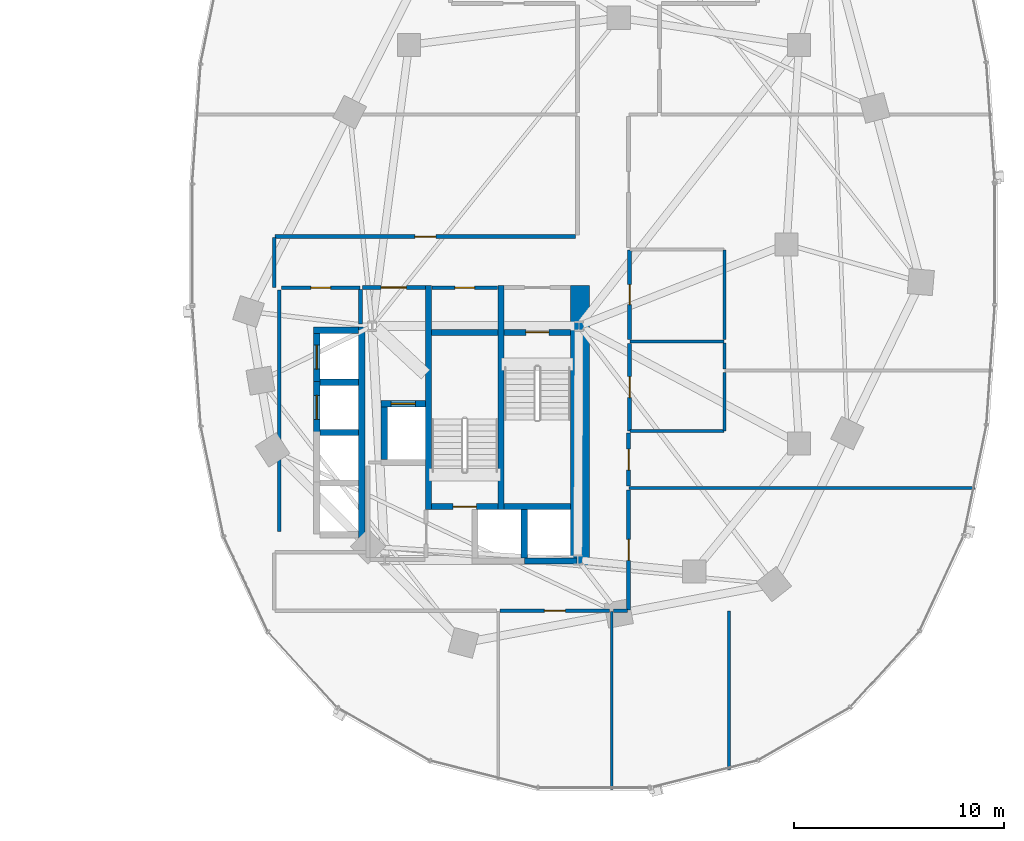
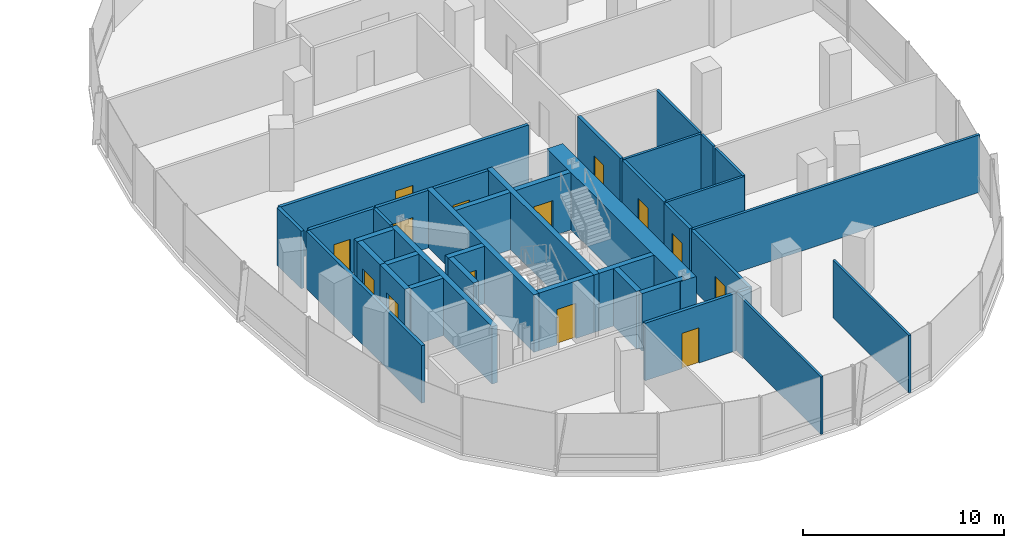
# One storey, part 13 of 22: 38 walls, 14 doors, 14 openings.
"""IFC4 building model written with IfcOpenShell, lengths in metres."""

from ifc_helpers import new_model, si_unit, direction, frame, frame_2d, origin, place, context, subcontext, project, spatial, rectangle, extrude, material, layer, layer_set, type_object, element, fill, save


model = new_model("IFC4")

# Units and contexts
model_context = context("Model", 3, precision=1e-05, world=origin(), true_north=direction((0.0, 1.0)))
body_context = subcontext(model_context, "Body", "Model", "MODEL_VIEW")
ifc_project = project(units=[si_unit("LENGTHUNIT", "METRE"), si_unit("AREAUNIT", "SQUARE_METRE"), si_unit("VOLUMEUNIT", "CUBIC_METRE"), si_unit("PLANEANGLEUNIT", "RADIAN"), si_unit("MASSUNIT", "GRAM", prefix="KILO"), si_unit("THERMODYNAMICTEMPERATUREUNIT", "KELVIN"), si_unit("POWERUNIT", "WATT")], contexts=[model_context])

# Site, building, storey
site_placement = place(None, origin())
site = spatial("IfcSite", under=ifc_project, at=site_placement, CompositionType="ELEMENT")
building_placement = place(site_placement, origin())
building = spatial("IfcBuilding", under=site, at=building_placement, Name="Cundina Bronze Exchange", CompositionType="ELEMENT")
storey_placement = place(building_placement, frame((0.0, 0.0, 43.0)))
storey = spatial("IfcBuildingStorey", under=building, at=storey_placement, Name="L10", CompositionType="ELEMENT", Elevation=43.0)

# Wall
ifc_material_1 = material(Name="Gypsum Fireboard Partition EI120")
ifc_layer_1 = layer(ifc_material_1, 0.179931640625, Name="Gypsum Fireboard Partition EI120")
ifc_layer_set_1 = layer_set([ifc_layer_1], Name="Gypsum Fireboard Partition EI120")
wall_type_1 = type_object("IfcWallType", Name="WL-COR-180", PredefinedType="PARTITIONING", material=ifc_layer_set_1)
wall_1_placement = place(storey_placement, frame((20.889892578125, -3.800048828125, 0.0), z_axis=(0.0, 0.0, 1.0), x_axis=(0.0, 1.0, 0.0)))
element("IfcWall", 1, at=wall_1_placement, inside=storey, type_object=wall_type_1, Name="L10 E Firefighting Lobby Side Wall", PredefinedType="PARTITIONING", context=body_context, shape_type="SweptSolid", body=[
    extrude(rectangle(XDim=1.650146484375, YDim=0.179931640625, at=frame_2d((0.8251953125, 0.0))), origin(), (0.0, 0.0, 1.0), 3.5),
])

# Wall, opening, door
wall_2_placement = place(storey_placement, frame((20.97998046875, -2.06005859375, 0.0), z_axis=(0.0, 0.0, 1.0), x_axis=(1.0, 0.0, 0.0)))
wall_2 = element("IfcWall", 2, at=wall_2_placement, inside=storey, type_object=wall_type_1, Name="L10 E Firefighting Lobby Exit Wall", PredefinedType="PARTITIONING", context=body_context, shape_type="SweptSolid", body=[
    extrude(rectangle(XDim=3.0, YDim=0.179931640625, at=frame_2d((1.5, 0.0))), origin(), (0.0, 0.0, 1.0), 3.5),
])
opening_1_placement = place(wall_2_placement, frame((0.89990234375, 0.0, 0.0)))
opening_1 = element("IfcOpeningElement", 3, at=opening_1_placement, cuts=wall_2, Name="Opening DF-01", PredefinedType="OPENING", context=body_context, shape_type="SweptSolid", body=[
    extrude(rectangle(XDim=1.199951171875, YDim=2.14990234375, at=frame_2d((0.60009765625, 1.074951171875))), frame((0.0, 0.099853515625, 0.0), z_axis=(0.0, -1.0, 0.0), x_axis=(1.0, 0.0, 0.0)), (0.0, 0.0, 1.0), 0.199951171875),
])
ifc_material_2 = material(Name="Steel ASTM A36 Painted", Category="steel")
door_type_1 = type_object("IfcDoorType", Name="DR-FFL-1200", OperationType="NOTDEFINED", PredefinedType="DOOR", material=ifc_material_2)
door_1_placement = place(opening_1_placement, origin())
door_1 = element("IfcDoor", 4, at=door_1_placement, inside=storey, type_object=door_type_1, Name="L10 E Firefighting Lobby Door", OperationType="SINGLE_SWING_LEFT", OverallHeight=2.14990234375, OverallWidth=1.199951171875, PredefinedType="DOOR", context=body_context, shape_type="SweptSolid", body=[
    extrude(rectangle(XDim=1.199951171875, YDim=2.14990234375, at=frame_2d((0.60009765625, 1.074951171875))), frame((0.0, 0.02490234375, 0.0), z_axis=(0.0, -1.0, 0.0), x_axis=(1.0, 0.0, 0.0)), (0.0, 0.0, 1.0), 0.050048828125),
])
fill(opening_1, door_1)

# Wall
wall_3_placement = place(storey_placement, frame((17.02001953125, -13.679931640625, 0.0), z_axis=(0.0, 0.0, 1.0), x_axis=(0.0, 1.0, 0.0)))
element("IfcWall", 5, at=wall_3_placement, inside=storey, type_object=wall_type_1, Name="L10 Interior Partition 050", PredefinedType="PARTITIONING", context=body_context, shape_type="SweptSolid", body=[
    extrude(rectangle(XDim=11.510009765625, YDim=0.179931640625, at=frame_2d((5.7548828125, 0.0))), origin(), (0.0, 0.0, 1.0), 3.5),
])

# Wall, opening, door
wall_4_placement = place(storey_placement, frame((17.1201171875, -2.070068359375, 0.0), z_axis=(0.0, 0.0, 1.0), x_axis=(1.0, 0.0, 0.0)))
wall_4 = element("IfcWall", 6, at=wall_4_placement, inside=storey, type_object=wall_type_1, Name="L10 Interior Partition 051", PredefinedType="PARTITIONING", context=body_context, shape_type="SweptSolid", body=[
    extrude(rectangle(XDim=3.75, YDim=0.179931640625, at=frame_2d((1.875, 0.0))), origin(), (0.0, 0.0, 1.0), 3.5),
])
opening_2_placement = place(wall_4_placement, frame((1.39990234375, 0.0, 0.0)))
opening_2 = element("IfcOpeningElement", 7, at=opening_2_placement, cuts=wall_4, Name="Opening DW-01", PredefinedType="OPENING", context=body_context, shape_type="SweptSolid", body=[
    extrude(rectangle(XDim=0.949951171875, YDim=2.10009765625, at=frame_2d((0.47509765625, 1.050048828125))), frame((0.0, 0.099853515625, 0.0), z_axis=(0.0, -1.0, 0.0), x_axis=(1.0, 0.0, 0.0)), (0.0, 0.0, 1.0), 0.199951171875),
])
ifc_material_3 = material(Name="Solid Andean Oak Timber Grade A", Category="wood")
door_type_2 = type_object("IfcDoorType", Name="DR-WC-950", OperationType="NOTDEFINED", PredefinedType="DOOR", material=ifc_material_3)
door_2_placement = place(opening_2_placement, origin())
door_2 = element("IfcDoor", 8, at=door_2_placement, inside=storey, type_object=door_type_2, Name="L10 Interior Door 051", OperationType="SINGLE_SWING_RIGHT", OverallHeight=2.10009765625, OverallWidth=0.949951171875, PredefinedType="DOOR", context=body_context, shape_type="SweptSolid", body=[
    extrude(rectangle(XDim=0.949951171875, YDim=2.10009765625, at=frame_2d((0.47509765625, 1.050048828125))), frame((0.0, 0.02490234375, 0.0), z_axis=(0.0, -1.0, 0.0), x_axis=(1.0, 0.0, 0.0)), (0.0, 0.0, 1.0), 0.050048828125),
])
fill(opening_2, door_2)

wall_5_placement = place(storey_placement, frame((24.300048828125, -2.070068359375, 0.0), z_axis=(0.0, 0.0, 1.0), x_axis=(1.0, 0.0, 0.0)))
wall_5 = element("IfcWall", 9, at=wall_5_placement, inside=storey, type_object=wall_type_1, Name="L10 Interior Partition 055", PredefinedType="PARTITIONING", context=body_context, shape_type="SweptSolid", body=[
    extrude(rectangle(XDim=3.119873046875, YDim=0.179931640625, at=frame_2d((1.56005859375, 0.0))), origin(), (0.0, 0.0, 1.0), 3.5),
])
opening_3_placement = place(wall_5_placement, frame((1.0849609375, 0.0, 0.0)))
opening_3 = element("IfcOpeningElement", 10, at=opening_3_placement, cuts=wall_5, Name="Opening DW-01", PredefinedType="OPENING", context=body_context, shape_type="SweptSolid", body=[
    extrude(rectangle(XDim=0.949951171875, YDim=2.10009765625, at=frame_2d((0.47509765625, 1.050048828125))), frame((0.0, 0.099853515625, 0.0), z_axis=(0.0, -1.0, 0.0), x_axis=(1.0, 0.0, 0.0)), (0.0, 0.0, 1.0), 0.199951171875),
])
door_3_placement = place(opening_3_placement, origin())
door_3 = element("IfcDoor", 11, at=door_3_placement, inside=storey, type_object=door_type_2, Name="L10 Interior Door 055", OperationType="SINGLE_SWING_RIGHT", OverallHeight=2.10009765625, OverallWidth=0.949951171875, PredefinedType="DOOR", context=body_context, shape_type="SweptSolid", body=[
    extrude(rectangle(XDim=0.949951171875, YDim=2.10009765625, at=frame_2d((0.47509765625, 1.050048828125))), frame((0.0, 0.02490234375, 0.0), z_axis=(0.0, -1.0, 0.0), x_axis=(1.0, 0.0, 0.0)), (0.0, 0.0, 1.0), 0.050048828125),
])
fill(opening_3, door_3)

wall_6_placement = place(storey_placement, frame((33.719970703125, -4.530029296875, 0.0), z_axis=(0.0, 0.0, 1.0), x_axis=(0.0, 1.0, 0.0)))
wall_6 = element("IfcWall", 12, at=wall_6_placement, inside=storey, type_object=wall_type_1, Name="L10 Interior Partition 063", PredefinedType="PARTITIONING", context=body_context, shape_type="SweptSolid", body=[
    extrude(rectangle(XDim=4.260009765625, YDim=0.179931640625, at=frame_2d((2.1298828125, 0.0))), origin(), (0.0, 0.0, 1.0), 3.5),
])
opening_4_placement = place(wall_6_placement, frame((1.655029296875, 0.0, 0.0)))
opening_4 = element("IfcOpeningElement", 13, at=opening_4_placement, cuts=wall_6, Name="Opening DW-01", PredefinedType="OPENING", context=body_context, shape_type="SweptSolid", body=[
    extrude(rectangle(XDim=0.949951171875, YDim=2.10009765625, at=frame_2d((0.47509765625, 1.050048828125))), frame((0.0, 0.099853515625, 0.0), z_axis=(0.0, -1.0, 0.0), x_axis=(1.0, 0.0, 0.0)), (0.0, 0.0, 1.0), 0.199951171875),
])
door_4_placement = place(opening_4_placement, origin())
door_4 = element("IfcDoor", 14, at=door_4_placement, inside=storey, type_object=door_type_2, Name="L10 Interior Door 063", OperationType="SINGLE_SWING_RIGHT", OverallHeight=2.10009765625, OverallWidth=0.949951171875, PredefinedType="DOOR", context=body_context, shape_type="SweptSolid", body=[
    extrude(rectangle(XDim=0.949951171875, YDim=2.10009765625, at=frame_2d((0.47509765625, 1.050048828125))), frame((0.0, 0.02490234375, 0.0), z_axis=(0.0, -1.0, 0.0), x_axis=(1.0, 0.0, 0.0)), (0.0, 0.0, 1.0), 0.050048828125),
])
fill(opening_4, door_4)

wall_7_placement = place(storey_placement, frame((33.719970703125, -8.889892578125, 0.0), z_axis=(0.0, 0.0, 1.0), x_axis=(0.0, 1.0, 0.0)))
wall_7 = element("IfcWall", 15, at=wall_7_placement, inside=storey, type_object=wall_type_1, Name="L10 Interior Partition 064", PredefinedType="PARTITIONING", context=body_context, shape_type="SweptSolid", body=[
    extrude(rectangle(XDim=4.159912109375, YDim=0.179931640625, at=frame_2d((2.080078125, 0.0))), origin(), (0.0, 0.0, 1.0), 3.5),
])
opening_5_placement = place(wall_7_placement, frame((1.580078125, 0.0, 0.0)))
opening_5 = element("IfcOpeningElement", 16, at=opening_5_placement, cuts=wall_7, Name="Opening DO-01", PredefinedType="OPENING", context=body_context, shape_type="SweptSolid", body=[
    extrude(rectangle(XDim=1.0, YDim=2.14990234375, at=frame_2d((0.5, 1.074951171875))), frame((0.0, 0.099853515625, 0.0), z_axis=(0.0, -1.0, 0.0), x_axis=(1.0, 0.0, 0.0)), (0.0, 0.0, 1.0), 0.199951171875),
])
door_type_3 = type_object("IfcDoorType", Name="DR-OFF-1000", OperationType="NOTDEFINED", PredefinedType="DOOR", material=ifc_material_3)
door_5_placement = place(opening_5_placement, origin())
door_5 = element("IfcDoor", 17, at=door_5_placement, inside=storey, type_object=door_type_3, Name="L10 Interior Door 064", OperationType="SINGLE_SWING_RIGHT", OverallHeight=2.14990234375, OverallWidth=1.0, PredefinedType="DOOR", context=body_context, shape_type="SweptSolid", body=[
    extrude(rectangle(XDim=1.0, YDim=2.14990234375, at=frame_2d((0.5, 1.074951171875))), frame((0.0, 0.02490234375, 0.0), z_axis=(0.0, -1.0, 0.0), x_axis=(1.0, 0.0, 0.0)), (0.0, 0.0, 1.0), 0.050048828125),
])
fill(opening_5, door_5)

wall_8_placement = place(storey_placement, frame((27.550048828125, -17.469970703125, 0.0), z_axis=(0.0, 0.0, 1.0), x_axis=(1.0, 0.0, 0.0)))
wall_8 = element("IfcWall", 18, at=wall_8_placement, inside=storey, type_object=wall_type_1, Name="L10 Interior Partition 076", PredefinedType="PARTITIONING", context=body_context, shape_type="SweptSolid", body=[
    extrude(rectangle(XDim=5.219970703125, YDim=0.179931640625, at=frame_2d((2.60986328125, 0.0))), origin(), (0.0, 0.0, 1.0), 3.5),
])
opening_6_placement = place(wall_8_placement, frame((2.110107421875, 0.0, 0.0)))
opening_6 = element("IfcOpeningElement", 19, at=opening_6_placement, cuts=wall_8, Name="Opening DO-01", PredefinedType="OPENING", context=body_context, shape_type="SweptSolid", body=[
    extrude(rectangle(XDim=1.0, YDim=2.14990234375, at=frame_2d((0.5, 1.074951171875))), frame((0.0, 0.099853515625, 0.0), z_axis=(0.0, -1.0, 0.0), x_axis=(1.0, 0.0, 0.0)), (0.0, 0.0, 1.0), 0.199951171875),
])
door_6_placement = place(opening_6_placement, origin())
door_6 = element("IfcDoor", 20, at=door_6_placement, inside=storey, type_object=door_type_3, Name="L10 Interior Door 076", OperationType="SINGLE_SWING_LEFT", OverallHeight=2.14990234375, OverallWidth=1.0, PredefinedType="DOOR", context=body_context, shape_type="SweptSolid", body=[
    extrude(rectangle(XDim=1.0, YDim=2.14990234375, at=frame_2d((0.5, 1.074951171875))), frame((0.0, 0.02490234375, 0.0), z_axis=(0.0, -1.0, 0.0), x_axis=(1.0, 0.0, 0.0)), (0.0, 0.0, 1.0), 0.050048828125),
])
fill(opening_6, door_6)

wall_9_placement = place(storey_placement, frame((33.669921875, -17.428466796875, 0.0), z_axis=(0.0, 0.0, 1.0), x_axis=(0.0, 1.0, 0.0)))
wall_9 = element("IfcWall", 21, at=wall_9_placement, inside=storey, type_object=wall_type_1, Name="L10 Interior Partition 077", PredefinedType="PARTITIONING", context=body_context, shape_type="SweptSolid", body=[
    extrude(rectangle(XDim=5.718505859375, YDim=0.179931640625, at=frame_2d((2.859375, 0.0))), origin(), (0.0, 0.0, 1.0), 3.5),
])
opening_7_placement = place(wall_9_placement, frame((2.359130859375, 0.0, 0.0)))
opening_7 = element("IfcOpeningElement", 22, at=opening_7_placement, cuts=wall_9, Name="Opening DO-01", PredefinedType="OPENING", context=body_context, shape_type="SweptSolid", body=[
    extrude(rectangle(XDim=1.0, YDim=2.14990234375, at=frame_2d((0.5, 1.074951171875))), frame((0.0, 0.099853515625, 0.0), z_axis=(0.0, -1.0, 0.0), x_axis=(1.0, 0.0, 0.0)), (0.0, 0.0, 1.0), 0.199951171875),
])
door_7_placement = place(opening_7_placement, origin())
door_7 = element("IfcDoor", 23, at=door_7_placement, inside=storey, type_object=door_type_3, Name="L10 Interior Door 077", OperationType="SINGLE_SWING_RIGHT", OverallHeight=2.14990234375, OverallWidth=1.0, PredefinedType="DOOR", context=body_context, shape_type="SweptSolid", body=[
    extrude(rectangle(XDim=1.0, YDim=2.14990234375, at=frame_2d((0.5, 1.074951171875))), frame((0.0, 0.02490234375, 0.0), z_axis=(0.0, -1.0, 0.0), x_axis=(1.0, 0.0, 0.0)), (0.0, 0.0, 1.0), 0.050048828125),
])
fill(opening_7, door_7)

# Wall
wall_10_placement = place(storey_placement, frame((32.949951171875, -17.469970703125, 0.0), z_axis=(0.0, 0.0, 1.0), x_axis=(1.0, 0.0, 0.0)))
element("IfcWall", 24, at=wall_10_placement, inside=storey, type_object=wall_type_1, Name="L10 Interior Partition 078", PredefinedType="PARTITIONING", context=body_context, shape_type="SweptSolid", body=[
    extrude(rectangle(XDim=0.678466796875, YDim=0.179931640625, at=frame_2d((0.33935546875, 0.0))), origin(), (0.0, 0.0, 1.0), 3.5),
])

# Wall, opening, door
wall_11_placement = place(storey_placement, frame((33.669921875, -11.530029296875, 0.0), z_axis=(0.0, 0.0, 1.0), x_axis=(0.0, 1.0, 0.0)))
wall_11 = element("IfcWall", 25, at=wall_11_placement, inside=storey, type_object=wall_type_1, Name="L10 Interior Partition 079", PredefinedType="PARTITIONING", context=body_context, shape_type="SweptSolid", body=[
    extrude(rectangle(XDim=2.528564453125, YDim=0.179931640625, at=frame_2d((1.26416015625, 0.0))), origin(), (0.0, 0.0, 1.0), 3.5),
])
opening_8_placement = place(wall_11_placement, frame((0.764404296875, 0.0, 0.0)))
opening_8 = element("IfcOpeningElement", 26, at=opening_8_placement, cuts=wall_11, Name="Opening DO-01", PredefinedType="OPENING", context=body_context, shape_type="SweptSolid", body=[
    extrude(rectangle(XDim=1.0, YDim=2.14990234375, at=frame_2d((0.5, 1.074951171875))), frame((0.0, 0.099853515625, 0.0), z_axis=(0.0, -1.0, 0.0), x_axis=(1.0, 0.0, 0.0)), (0.0, 0.0, 1.0), 0.199951171875),
])
door_8_placement = place(opening_8_placement, origin())
door_8 = element("IfcDoor", 27, at=door_8_placement, inside=storey, type_object=door_type_3, Name="L10 Interior Door 079", OperationType="SINGLE_SWING_LEFT", OverallHeight=2.14990234375, OverallWidth=1.0, PredefinedType="DOOR", context=body_context, shape_type="SweptSolid", body=[
    extrude(rectangle(XDim=1.0, YDim=2.14990234375, at=frame_2d((0.5, 1.074951171875))), frame((0.0, 0.02490234375, 0.0), z_axis=(0.0, -1.0, 0.0), x_axis=(1.0, 0.0, 0.0)), (0.0, 0.0, 1.0), 0.050048828125),
])
fill(opening_8, door_8)

wall_12_placement = place(storey_placement, frame((31.14990234375, 0.3701171875, 0.0), z_axis=(0.0, 0.0, 1.0), x_axis=(-1.0, 0.0, 0.0)))
wall_12 = element("IfcWall", 28, at=wall_12_placement, inside=storey, type_object=wall_type_1, Name="L10 Interior Partition 080", PredefinedType="PARTITIONING", context=body_context, shape_type="SweptSolid", body=[
    extrude(rectangle(XDim=14.328369140625, YDim=0.179931640625, at=frame_2d((7.1640625, 0.0))), origin(), (0.0, 0.0, 1.0), 3.5),
])
opening_9_placement = place(wall_12_placement, frame((6.664306640625, 0.0, 0.0)))
opening_9 = element("IfcOpeningElement", 29, at=opening_9_placement, cuts=wall_12, Name="Opening DO-01", PredefinedType="OPENING", context=body_context, shape_type="SweptSolid", body=[
    extrude(rectangle(XDim=1.0, YDim=2.14990234375, at=frame_2d((0.5, 1.074951171875))), frame((0.0, 0.099853515625, 0.0), z_axis=(0.0, -1.0, 0.0), x_axis=(1.0, 0.0, 0.0)), (0.0, 0.0, 1.0), 0.199951171875),
])
door_9_placement = place(opening_9_placement, origin())
door_9 = element("IfcDoor", 30, at=door_9_placement, inside=storey, type_object=door_type_3, Name="L10 Interior Door 080", OperationType="SINGLE_SWING_RIGHT", OverallHeight=2.14990234375, OverallWidth=1.0, PredefinedType="DOOR", context=body_context, shape_type="SweptSolid", body=[
    extrude(rectangle(XDim=1.0, YDim=2.14990234375, at=frame_2d((0.5, 1.074951171875))), frame((0.0, 0.02490234375, 0.0), z_axis=(0.0, -1.0, 0.0), x_axis=(1.0, 0.0, 0.0)), (0.0, 0.0, 1.0), 0.050048828125),
])
fill(opening_9, door_9)

# Walls
wall_13_placement = place(storey_placement, frame((16.780029296875, 0.32861328125, 0.0), z_axis=(0.0, 0.0, 1.0), x_axis=(0.0, -1.0, 0.0)))
element("IfcWall", 31, at=wall_13_placement, inside=storey, type_object=wall_type_1, Name="L10 Interior Partition 085", PredefinedType="PARTITIONING", context=body_context, shape_type="SweptSolid", body=[
    extrude(rectangle(XDim=2.38720703125, YDim=0.179931640625, at=frame_2d((1.193603515625, 0.0))), origin(), (0.0, 0.0, 1.0), 3.5),
])
ifc_material_4 = material(Name="Concrete C60/75", Category="concrete")
ifc_layer_2 = layer(ifc_material_4, 0.89990234375, Name="Concrete C60/75", Category="concrete")
ifc_layer_set_2 = layer_set([ifc_layer_2], Name="Concrete C60/75")
wall_type_2 = type_object("IfcWallType", Name="WL-CORE-900", PredefinedType="SHEAR", material=ifc_layer_set_2)
wall_14_placement = place(storey_placement, frame((31.35009765625, -15.300048828125, 0.0), z_axis=(0.0, 0.0, 1.0), x_axis=(0.0, 1.0, 0.0)))
element("IfcWall", 32, at=wall_14_placement, inside=storey, type_object=wall_type_2, Name="L10 E Primary Core Shear Spine Wall", PredefinedType="SHEAR", context=body_context, shape_type="SweptSolid", body=[
    extrude(rectangle(XDim=13.330078125, YDim=0.89990234375, at=frame_2d((6.6650390625, 0.0))), origin(), (0.0, 0.0, 1.0), 3.5),
])
ifc_material_5 = material(Name="Gypsum Acoustic Partition EI60")
ifc_layer_3 = layer(ifc_material_5, 0.125, Name="Gypsum Acoustic Partition EI60")
ifc_layer_set_3 = layer_set([ifc_layer_3], Name="Gypsum Acoustic Partition EI60")
wall_type_3 = type_object("IfcWallType", Name="WL-OFF-125", PredefinedType="PARTITIONING", material=ifc_layer_set_3)
wall_15_placement = place(storey_placement, frame((32.860107421875, -25.985107421875, 0.0), z_axis=(0.0, 0.0, 1.0), x_axis=(0.0, 1.0, 0.0)))
element("IfcWall", 33, at=wall_15_placement, inside=storey, type_object=wall_type_3, Name="L10 Interior Partition 074", PredefinedType="PARTITIONING", context=body_context, shape_type="SweptSolid", body=[
    extrude(rectangle(XDim=8.485107421875, YDim=0.125, at=frame_2d((4.24267578125, 0.0))), origin(), (0.0, 0.0, 1.0), 3.5),
])
wall_16_placement = place(storey_placement, frame((38.4599609375, -25.03515625, 0.0), z_axis=(0.0, 0.0, 1.0), x_axis=(0.0, 1.0, 0.0)))
element("IfcWall", 34, at=wall_16_placement, inside=storey, type_object=wall_type_3, Name="L10 Interior Partition 075", PredefinedType="PARTITIONING", context=body_context, shape_type="SweptSolid", body=[
    extrude(rectangle(XDim=7.565185546875, YDim=0.125, at=frame_2d((3.78271484375, 0.0))), origin(), (0.0, 0.0, 1.0), 3.5),
])
ifc_material_6 = material(Name="Concrete C50/60", Category="concrete")
ifc_layer_4 = layer(ifc_material_6, 0.300048828125, Name="Concrete C50/60", Category="concrete")
ifc_layer_set_4 = layer_set([ifc_layer_4], Name="Concrete C50/60")
wall_type_4 = type_object("IfcWallType", Name="WL-SHFT-300", PredefinedType="SHEAR", material=ifc_layer_set_4)
for number, where, z_axis, x_axis, name in (
    (35, (27.590087890625, -12.64990234375, 0.0), (0.0, 0.0, 1.0), (0.0, 1.0, 0.0), "L10 E Stair Shaft Dividing Shear Wall"),
    (36, (24.1298828125, -12.64990234375, 0.0), (0.0, 0.0, 1.0), (0.0, 1.0, 0.0), "L10 E Stair 2 East Shear Wall"),
):
    element("IfcWall", number, at=place(storey_placement, frame(where, z_axis=z_axis, x_axis=x_axis)), inside=storey, type_object=wall_type_4, Name=name, PredefinedType="SHEAR", context=body_context, shape_type="SweptSolid", body=[
        extrude(rectangle(XDim=10.679931640625, YDim=0.300048828125, at=frame_2d((5.33984375, 0.0))), origin(), (0.0, 0.0, 1.0), 3.5),
    ])

# Wall, opening, door
wall_17_placement = place(storey_placement, frame((27.739990234375, -4.199951171875, 0.0), z_axis=(0.0, 0.0, 1.0), x_axis=(1.0, 0.0, 0.0)))
wall_17 = element("IfcWall", 37, at=wall_17_placement, inside=storey, type_object=wall_type_4, Name="L10 Stair E1 Landing Wall", PredefinedType="SHEAR", context=body_context, shape_type="SweptSolid", body=[
    extrude(rectangle(XDim=3.159912109375, YDim=0.300048828125, at=frame_2d((1.580078125, 0.0))), origin(), (0.0, 0.0, 1.0), 3.5),
])
opening_10_placement = place(wall_17_placement, frame((1.030029296875, 0.0, 0.0)))
opening_10 = element("IfcOpeningElement", 38, at=opening_10_placement, cuts=wall_17, Name="Opening DS-01", PredefinedType="OPENING", context=body_context, shape_type="SweptSolid", body=[
    extrude(rectangle(XDim=1.10009765625, YDim=2.14990234375, at=frame_2d((0.550048828125, 1.074951171875))), frame((0.0, 0.159912109375, 0.0), z_axis=(0.0, -1.0, 0.0), x_axis=(1.0, 0.0, 0.0)), (0.0, 0.0, 1.0), 0.320068359375),
])
door_type_4 = type_object("IfcDoorType", Name="DR-STR-1100", OperationType="NOTDEFINED", PredefinedType="DOOR", material=ifc_material_2)
door_10_placement = place(opening_10_placement, origin())
door_10 = element("IfcDoor", 39, at=door_10_placement, inside=storey, type_object=door_type_4, Name="L10 Smokeproof Stair E1 Door", OperationType="SINGLE_SWING_LEFT", OverallHeight=2.14990234375, OverallWidth=1.10009765625, PredefinedType="DOOR", context=body_context, shape_type="SweptSolid", body=[
    extrude(rectangle(XDim=1.10009765625, YDim=2.14990234375, at=frame_2d((0.550048828125, 1.074951171875))), frame((0.0, 0.02490234375, 0.0), z_axis=(0.0, -1.0, 0.0), x_axis=(1.0, 0.0, 0.0)), (0.0, 0.0, 1.0), 0.050048828125),
])
fill(opening_10, door_10)

# Wall
wall_18_placement = place(storey_placement, frame((27.739990234375, -12.5, 0.0), z_axis=(0.0, 0.0, 1.0), x_axis=(1.0, 0.0, 0.0)))
element("IfcWall", 40, at=wall_18_placement, inside=storey, type_object=wall_type_4, Name="L10 Stair E1 Far Shaft Wall", PredefinedType="SHEAR", context=body_context, shape_type="SweptSolid", body=[
    extrude(rectangle(XDim=3.159912109375, YDim=0.300048828125, at=frame_2d((1.580078125, 0.0))), origin(), (0.0, 0.0, 1.0), 3.5),
])

# Wall, opening, door
wall_19_placement = place(storey_placement, frame((24.280029296875, -12.5, 0.0), z_axis=(0.0, 0.0, 1.0), x_axis=(1.0, 0.0, 0.0)))
wall_19 = element("IfcWall", 41, at=wall_19_placement, inside=storey, type_object=wall_type_4, Name="L10 Stair E2 Landing Wall", PredefinedType="SHEAR", context=body_context, shape_type="SweptSolid", body=[
    extrude(rectangle(XDim=3.159912109375, YDim=0.300048828125, at=frame_2d((1.580078125, 0.0))), origin(), (0.0, 0.0, 1.0), 3.5),
])
opening_11_placement = place(wall_19_placement, frame((1.030029296875, 0.0, 0.0)))
opening_11 = element("IfcOpeningElement", 42, at=opening_11_placement, cuts=wall_19, Name="Opening DS-01", PredefinedType="OPENING", context=body_context, shape_type="SweptSolid", body=[
    extrude(rectangle(XDim=1.10009765625, YDim=2.14990234375, at=frame_2d((0.550048828125, 1.074951171875))), frame((0.0, 0.159912109375, 0.0), z_axis=(0.0, -1.0, 0.0), x_axis=(1.0, 0.0, 0.0)), (0.0, 0.0, 1.0), 0.320068359375),
])
door_11_placement = place(opening_11_placement, origin())
door_11 = element("IfcDoor", 43, at=door_11_placement, inside=storey, type_object=door_type_4, Name="L10 Smokeproof Stair E2 Door", OperationType="SINGLE_SWING_RIGHT", OverallHeight=2.14990234375, OverallWidth=1.10009765625, PredefinedType="DOOR", context=body_context, shape_type="SweptSolid", body=[
    extrude(rectangle(XDim=1.10009765625, YDim=2.14990234375, at=frame_2d((0.550048828125, 1.074951171875))), frame((0.0, 0.02490234375, 0.0), z_axis=(0.0, -1.0, 0.0), x_axis=(1.0, 0.0, 0.0)), (0.0, 0.0, 1.0), 0.050048828125),
])
fill(opening_11, door_11)

# Wall
wall_20_placement = place(storey_placement, frame((24.280029296875, -4.199951171875, 0.0), z_axis=(0.0, 0.0, 1.0), x_axis=(1.0, 0.0, 0.0)))
element("IfcWall", 44, at=wall_20_placement, inside=storey, type_object=wall_type_4, Name="L10 Stair E2 Far Shaft Wall", PredefinedType="SHEAR", context=body_context, shape_type="SweptSolid", body=[
    extrude(rectangle(XDim=3.159912109375, YDim=0.300048828125, at=frame_2d((1.580078125, 0.0))), origin(), (0.0, 0.0, 1.0), 3.5),
])

# Wall, opening, door
wall_21_placement = place(storey_placement, frame((21.8798828125, -7.60009765625, 0.0), z_axis=(0.0, 0.0, 1.0), x_axis=(1.0, 0.0, 0.0)))
wall_21 = element("IfcWall", 45, at=wall_21_placement, inside=storey, type_object=wall_type_4, Name="L10 FFL-E Hoistway Front Wall", PredefinedType="SHEAR", context=body_context, shape_type="SweptSolid", body=[
    extrude(rectangle(XDim=2.10009765625, YDim=0.300048828125, at=frame_2d((1.050048828125, 0.0))), origin(), (0.0, 0.0, 1.0), 3.5),
])
opening_12_placement = place(wall_21_placement, frame((0.47509765625, 0.0, 0.0)))
opening_12 = element("IfcOpeningElement", 46, at=opening_12_placement, cuts=wall_21, Name="Opening LD-01", PredefinedType="OPENING", context=body_context, shape_type="SweptSolid", body=[
    extrude(rectangle(XDim=1.14990234375, YDim=2.199951171875, at=frame_2d((0.574951171875, 1.10009765625))), frame((0.0, 0.159912109375, 0.0), z_axis=(0.0, -1.0, 0.0), x_axis=(1.0, 0.0, 0.0)), (0.0, 0.0, 1.0), 0.320068359375),
])
door_type_5 = type_object("IfcDoorType", Name="DR-LND-1150", OperationType="NOTDEFINED", PredefinedType="TRAPDOOR", material=ifc_material_2)
door_12_placement = place(opening_12_placement, origin())
door_12 = element("IfcDoor", 47, at=door_12_placement, inside=storey, type_object=door_type_5, Name="L10 FFL-E Sliding Landing Door", OperationType="SLIDING_TO_LEFT", OverallHeight=2.199951171875, OverallWidth=1.14990234375, PredefinedType="TRAPDOOR", context=body_context, shape_type="SweptSolid", body=[
    extrude(rectangle(XDim=1.14990234375, YDim=2.199951171875, at=frame_2d((0.574951171875, 1.10009765625))), frame((0.0, 0.02490234375, 0.0), z_axis=(0.0, -1.0, 0.0), x_axis=(1.0, 0.0, 0.0)), (0.0, 0.0, 1.0), 0.050048828125),
])
fill(opening_12, door_12)

# Walls
for number, where, z_axis, x_axis, name in (
    (48, (22.030029296875, -10.25, 0.0), (0.0, 0.0, 1.0), (0.0, 1.0, 0.0), "L10 FFL-E Hoistway Side Wall"),
    (49, (28.699951171875, -15.10009765625, 0.0), (0.0, 0.0, 1.0), (1.0, 0.0, 0.0), "L10 PH-E1 Hoistway Front Wall"),
):
    element("IfcWall", number, at=place(storey_placement, frame(where, z_axis=z_axis, x_axis=x_axis)), inside=storey, type_object=wall_type_4, Name=name, PredefinedType="SHEAR", context=body_context, shape_type="SweptSolid", body=[
        extrude(rectangle(XDim=2.5, YDim=0.300048828125, at=frame_2d((1.25, 0.0))), origin(), (0.0, 0.0, 1.0), 3.5),
    ])
wall_22_placement = place(storey_placement, frame((28.699951171875, -14.949951171875, 0.0), z_axis=(0.0, 0.0, 1.0), x_axis=(0.0, 1.0, 0.0)))
element("IfcWall", 50, at=wall_22_placement, inside=storey, type_object=wall_type_4, Name="L10 PH-E1 Hoistway Divider Wall", PredefinedType="SHEAR", context=body_context, shape_type="SweptSolid", body=[
    extrude(rectangle(XDim=2.300048828125, YDim=0.300048828125, at=frame_2d((1.14990234375, 0.0))), origin(), (0.0, 0.0, 1.0), 3.5),
])
wall_23_placement = place(storey_placement, frame((20.949951171875, -14.0, 0.0), z_axis=(0.0, 0.0, 1.0), x_axis=(0.0, 1.0, 0.0)))
element("IfcWall", 51, at=wall_23_placement, inside=storey, type_object=wall_type_4, Name="L10 E Passenger Bank Hoistway Back Wall", PredefinedType="SHEAR", context=body_context, shape_type="SweptSolid", body=[
    extrude(rectangle(XDim=10.050048828125, YDim=0.300048828125, at=frame_2d((5.02490234375, 0.0))), origin(), (0.0, 0.0, 1.0), 3.5),
])
wall_24_placement = place(storey_placement, frame((18.64990234375, -4.10009765625, 0.0), z_axis=(0.0, 0.0, 1.0), x_axis=(1.0, 0.0, 0.0)))
element("IfcWall", 52, at=wall_24_placement, inside=storey, type_object=wall_type_4, Name="L10 E Passenger Bank North Cap Wall", PredefinedType="SHEAR", context=body_context, shape_type="SweptSolid", body=[
    extrude(rectangle(XDim=2.150146484375, YDim=0.300048828125, at=frame_2d((1.0751953125, 0.0))), origin(), (0.0, 0.0, 1.0), 3.5),
])
for number, where, z_axis, x_axis, name in (
    (53, (18.949951171875, -8.97509765625, 0.0), (0.0, 0.0, 1.0), (1.0, 0.0, 0.0), "L10 E Passenger Hoistway Divider 2"),
    (54, (18.949951171875, -6.574951171875, 0.0), (0.0, 0.0, 1.0), (1.0, 0.0, 0.0), "L10 E Passenger Hoistway Divider 3"),
):
    element("IfcWall", number, at=place(storey_placement, frame(where, z_axis=z_axis, x_axis=x_axis)), inside=storey, type_object=wall_type_4, Name=name, PredefinedType="SHEAR", context=body_context, shape_type="SweptSolid", body=[
        extrude(rectangle(XDim=1.85009765625, YDim=0.300048828125, at=frame_2d((0.925048828125, 0.0))), origin(), (0.0, 0.0, 1.0), 3.5),
    ])

# Wall, opening, door
wall_25_placement = place(storey_placement, frame((18.800048828125, -9.02001953125, 0.0), z_axis=(0.0, 0.0, 1.0), x_axis=(0.0, 1.0, 0.0)))
wall_25 = element("IfcWall", 55, at=wall_25_placement, inside=storey, type_object=wall_type_4, Name="L10 PL-E1 Hoistway Front Wall", PredefinedType="SHEAR", context=body_context, shape_type="SweptSolid", body=[
    extrude(rectangle(XDim=2.489990234375, YDim=0.300048828125, at=frame_2d((1.2451171875, 0.0))), origin(), (0.0, 0.0, 1.0), 3.5),
])
opening_13_placement = place(wall_25_placement, frame((0.669921875, 0.0, 0.0)))
opening_13 = element("IfcOpeningElement", 56, at=opening_13_placement, cuts=wall_25, Name="Opening LD-01", PredefinedType="OPENING", context=body_context, shape_type="SweptSolid", body=[
    extrude(rectangle(XDim=1.14990234375, YDim=2.199951171875, at=frame_2d((0.574951171875, 1.10009765625))), frame((0.0, 0.159912109375, 0.0), z_axis=(0.0, -1.0, 0.0), x_axis=(1.0, 0.0, 0.0)), (0.0, 0.0, 1.0), 0.320068359375),
])
door_13_placement = place(opening_13_placement, origin())
door_13 = element("IfcDoor", 57, at=door_13_placement, inside=storey, type_object=door_type_5, Name="L10 PL-E1 Sliding Landing Door", OperationType="SLIDING_TO_LEFT", OverallHeight=2.199951171875, OverallWidth=1.14990234375, PredefinedType="TRAPDOOR", context=body_context, shape_type="SweptSolid", body=[
    extrude(rectangle(XDim=1.14990234375, YDim=2.199951171875, at=frame_2d((0.574951171875, 1.10009765625))), frame((0.0, 0.02490234375, 0.0), z_axis=(0.0, -1.0, 0.0), x_axis=(1.0, 0.0, 0.0)), (0.0, 0.0, 1.0), 0.050048828125),
])
fill(opening_13, door_13)

wall_26_placement = place(storey_placement, frame((18.800048828125, -6.6201171875, 0.0), z_axis=(0.0, 0.0, 1.0), x_axis=(0.0, 1.0, 0.0)))
wall_26 = element("IfcWall", 58, at=wall_26_placement, inside=storey, type_object=wall_type_4, Name="L10 PL-E2 Hoistway Front Wall", PredefinedType="SHEAR", context=body_context, shape_type="SweptSolid", body=[
    extrude(rectangle(XDim=2.490234375, YDim=0.300048828125, at=frame_2d((1.2451171875, 0.0))), origin(), (0.0, 0.0, 1.0), 3.5),
])
opening_14_placement = place(wall_26_placement, frame((0.669921875, 0.0, 0.0)))
opening_14 = element("IfcOpeningElement", 59, at=opening_14_placement, cuts=wall_26, Name="Opening LD-01", PredefinedType="OPENING", context=body_context, shape_type="SweptSolid", body=[
    extrude(rectangle(XDim=1.14990234375, YDim=2.199951171875, at=frame_2d((0.574951171875, 1.10009765625))), frame((0.0, 0.159912109375, 0.0), z_axis=(0.0, -1.0, 0.0), x_axis=(1.0, 0.0, 0.0)), (0.0, 0.0, 1.0), 0.320068359375),
])
door_14_placement = place(opening_14_placement, origin())
door_14 = element("IfcDoor", 60, at=door_14_placement, inside=storey, type_object=door_type_5, Name="L10 PL-E2 Sliding Landing Door", OperationType="SLIDING_TO_LEFT", OverallHeight=2.199951171875, OverallWidth=1.14990234375, PredefinedType="TRAPDOOR", context=body_context, shape_type="SweptSolid", body=[
    extrude(rectangle(XDim=1.14990234375, YDim=2.199951171875, at=frame_2d((0.574951171875, 1.10009765625))), frame((0.0, 0.02490234375, 0.0), z_axis=(0.0, -1.0, 0.0), x_axis=(1.0, 0.0, 0.0)), (0.0, 0.0, 1.0), 0.050048828125),
])
fill(opening_14, door_14)

# Walls
ifc_layer_5 = layer(ifc_material_5, 0.14990234375, Name="Gypsum Acoustic Partition EI60")
ifc_layer_set_5 = layer_set([ifc_layer_5], Name="Gypsum Acoustic Partition EI60")
wall_type_5 = type_object("IfcWallType", Name="WL-TEN-150", PredefinedType="PARTITIONING", material=ifc_layer_set_5)
wall_27_placement = place(storey_placement, frame((33.699951171875, -11.6201171875, 0.0), z_axis=(0.0, 0.0, 1.0), x_axis=(1.0, 0.0, 0.0)))
element("IfcWall", 61, at=wall_27_placement, inside=storey, type_object=wall_type_5, Name="L10 Interior Partition 072", PredefinedType="PARTITIONING", context=body_context, shape_type="SweptSolid", body=[
    extrude(rectangle(XDim=16.494140625, YDim=0.14990234375, at=frame_2d((8.2470703125, 0.0))), origin(), (0.0, 0.0, 1.0), 3.5),
])
ifc_material_7 = material(Name="Moisture-Resistant Masonry Block Grade M15", Category="masonry")
ifc_layer_6 = layer(ifc_material_7, 0.139892578125, Name="Moisture-Resistant Masonry Block Grade M15", Category="masonry")
ifc_layer_set_6 = layer_set([ifc_layer_6], Name="Moisture-Resistant Masonry Block Grade M15")
wall_type_6 = type_object("IfcWallType", Name="WL-WET-140", PredefinedType="PARTITIONING", material=ifc_layer_set_6)
wall_28_placement = place(storey_placement, frame((38.239990234375, -8.889892578125, 0.0), z_axis=(0.0, 0.0, 1.0), x_axis=(0.0, 1.0, 0.0)))
element("IfcWall", 62, at=wall_28_placement, inside=storey, type_object=wall_type_6, Name="L10 Interior Partition 057", PredefinedType="PARTITIONING", context=body_context, shape_type="SweptSolid", body=[
    extrude(rectangle(XDim=2.784912109375, YDim=0.139892578125, at=frame_2d((1.392578125, 0.0))), origin(), (0.0, 0.0, 1.0), 3.5),
])
wall_29_placement = place(storey_placement, frame((38.239990234375, -5.93505859375, 0.0), z_axis=(0.0, 0.0, 1.0), x_axis=(0.0, 1.0, 0.0)))
element("IfcWall", 63, at=wall_29_placement, inside=storey, type_object=wall_type_6, Name="L10 Interior Partition 058", PredefinedType="PARTITIONING", context=body_context, shape_type="SweptSolid", body=[
    extrude(rectangle(XDim=1.219970703125, YDim=0.139892578125, at=frame_2d((0.60986328125, 0.0))), origin(), (0.0, 0.0, 1.0), 3.5),
])
wall_30_placement = place(storey_placement, frame((38.239990234375, -4.544921875, 0.0), z_axis=(0.0, 0.0, 1.0), x_axis=(0.0, 1.0, 0.0)))
element("IfcWall", 64, at=wall_30_placement, inside=storey, type_object=wall_type_6, Name="L10 Interior Partition 059", PredefinedType="PARTITIONING", context=body_context, shape_type="SweptSolid", body=[
    extrude(rectangle(XDim=4.27490234375, YDim=0.139892578125, at=frame_2d((2.137451171875, 0.0))), origin(), (0.0, 0.0, 1.0), 3.5),
])
for number, where, z_axis, x_axis, name in (
    (65, (33.739990234375, -4.6298828125, 0.0), (0.0, 0.0, 1.0), (1.0, 0.0, 0.0), "L10 Interior Partition 061"),
    (66, (33.739990234375, -8.909912109375, 0.0), (0.0, 0.0, 1.0), (1.0, 0.0, 0.0), "L10 Interior Partition 062"),
):
    element("IfcWall", number, at=place(storey_placement, frame(where, z_axis=z_axis, x_axis=x_axis)), inside=storey, type_object=wall_type_6, Name=name, PredefinedType="PARTITIONING", context=body_context, shape_type="SweptSolid", body=[
        extrude(rectangle(XDim=4.47998046875, YDim=0.139892578125, at=frame_2d((2.239990234375, 0.0))), origin(), (0.0, 0.0, 1.0), 3.5),
    ])

save(model, "model.ifc")
